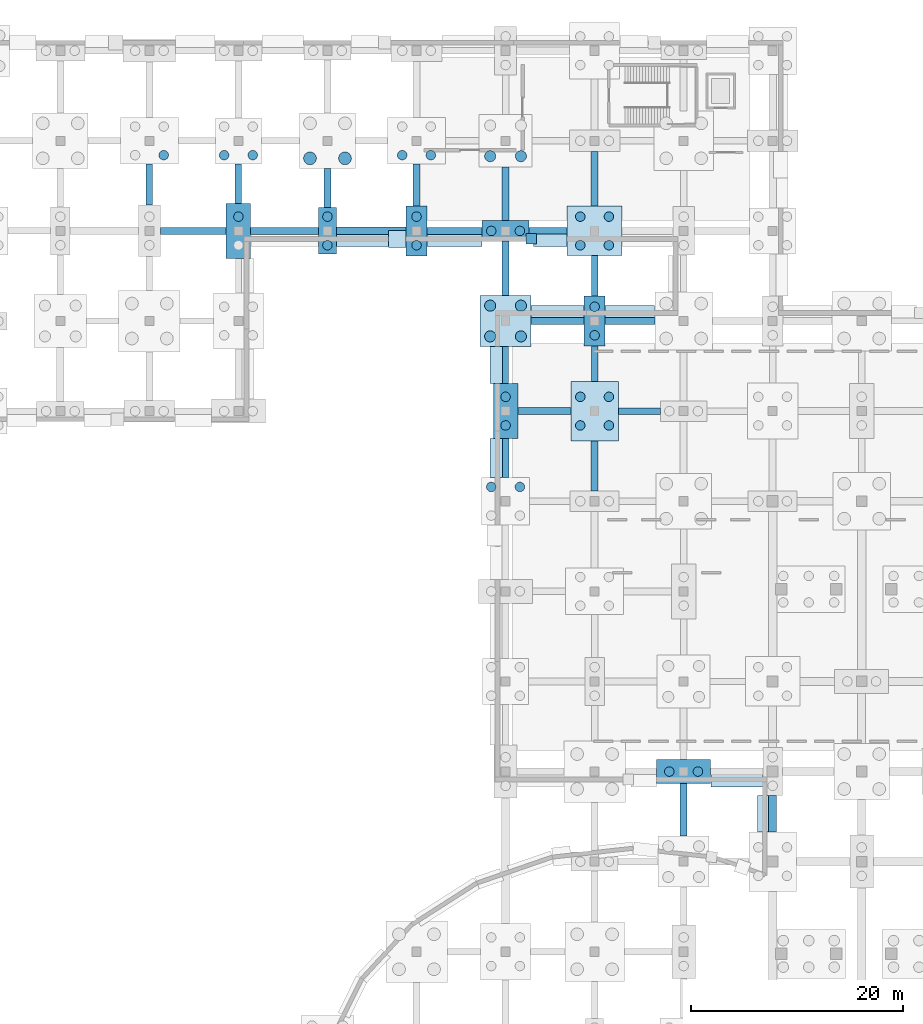
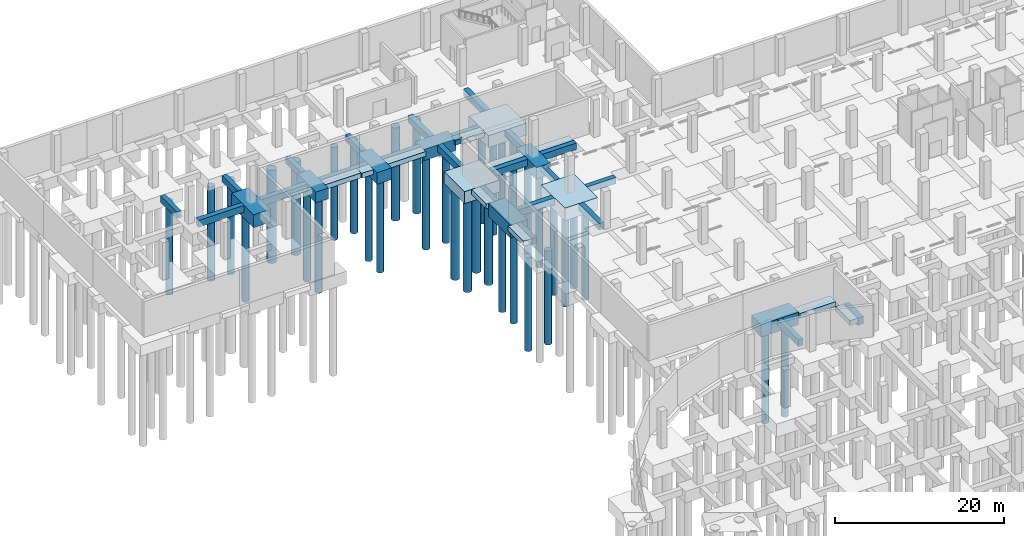
# One storey, part 7 of 34: 44 footings, 36 piles.
"""IFC4 building model written with IfcOpenShell, lengths in metres."""

from ifc_helpers import new_model, si_unit, direction, frame, origin, origin_2d, place, context, subcontext, project, spatial, rectangle, circle, extrude, material, material_profile, profile_set, type_object, element, save


model = new_model("IFC4")

# Units and contexts
model_context = context("Model", 3, precision=1e-05, world=origin(), true_north=direction((0.0, 1.0)))
body_context = subcontext(model_context, "Body", "Model", "MODEL_VIEW")
ifc_project = project(units=[si_unit("LENGTHUNIT", "METRE"), si_unit("AREAUNIT", "SQUARE_METRE"), si_unit("VOLUMEUNIT", "CUBIC_METRE"), si_unit("PLANEANGLEUNIT", "RADIAN"), si_unit("MASSUNIT", "GRAM", prefix="KILO")], contexts=[model_context])

# Site, building, storey
site_placement = place(None, origin())
site = spatial("IfcSite", under=ifc_project, at=site_placement, CompositionType="ELEMENT")
building_placement = place(site_placement, origin())
building = spatial("IfcBuilding", under=site, at=building_placement, Name="Solvento Point Concert Hall", CompositionType="ELEMENT")
storey_placement = place(building_placement, frame((0.0, 0.0, -5.39990234375)))
storey = spatial("IfcBuildingStorey", under=building, at=storey_placement, Name="B01", CompositionType="ELEMENT", Elevation=-5.39990234375)

# Piles
ifc_material_1 = material(Name="Concrete C40/50", Category="concrete")
ifc_material_profile_1 = material_profile(ifc_material_1, circle(Radius=0.52490234375, at=origin_2d()), Name="BP-1050")
ifc_profile_set_1 = profile_set([ifc_material_profile_1], Name="Concrete C40/50")
pile_type_1 = type_object("IfcPileType", Name="BoredPile_1050", PredefinedType="BORED", material=ifc_profile_set_1)
for number, where, z_axis, x_axis, name in (
    (1, (47.75, 109.050048828125, -1.6201171875), (0.0, 0.0, -1.0), (1.0, 0.0, 0.0), "Bored pile BoredPile_1050 #157"),
    (2, (50.64990234375, 109.050048828125, -1.6201171875), (0.0, 0.0, -1.0), (1.0, 0.0, 0.0), "Bored pile BoredPile_1050 #158"),
    (3, (47.75, 111.949951171875, -1.6201171875), (0.0, 0.0, -1.0), (1.0, 0.0, 0.0), "Bored pile BoredPile_1050 #159"),
    (4, (50.64990234375, 111.949951171875, -1.6201171875), (0.0, 0.0, -1.0), (1.0, 0.0, 0.0), "Bored pile BoredPile_1050 #160"),
):
    element("IfcPile", number, at=place(storey_placement, frame(where, z_axis=z_axis, x_axis=x_axis)), inside=storey, type_object=pile_type_1, Name=name, PredefinedType="BORED", context=body_context, shape_type="SweptSolid", body=[
        extrude(circle(Radius=0.52490234375, at=origin_2d()), origin(), (0.0, 0.0, 1.0), 13.47998046875),
    ])
for number, where, z_axis, x_axis, name in (
    (5, (47.75, 126.050048828125, -1.66015625), (0.0, 0.0, -1.0), (1.0, 0.0, 0.0), "Bored pile BoredPile_1050 #163"),
    (6, (50.64990234375, 126.050048828125, -1.66015625), (0.0, 0.0, -1.0), (1.0, 0.0, 0.0), "Bored pile BoredPile_1050 #164"),
):
    element("IfcPile", number, at=place(storey_placement, frame(where, z_axis=z_axis, x_axis=x_axis)), inside=storey, type_object=pile_type_1, Name=name, PredefinedType="BORED", context=body_context, shape_type="SweptSolid", body=[
        extrude(circle(Radius=0.52490234375, at=origin_2d()), origin(), (0.0, 0.0, 1.0), 13.43994140625),
    ])
ifc_material_2 = material(Name="Concrete C40/50", Category="concrete")
ifc_material_profile_2 = material_profile(ifc_material_2, circle(Radius=0.60009765625, at=origin_2d()), Name="BP-1200")
ifc_profile_set_2 = profile_set([ifc_material_profile_2], Name="Concrete C40/50")
pile_type_2 = type_object("IfcPileType", Name="BoredPile_1200", PredefinedType="BORED", material=ifc_profile_set_2)
for number, where, z_axis, x_axis, name in (
    (7, (30.75, 125.85009765625, -1.7001953125), (0.0, 0.0, -1.0), (1.0, 0.0, 0.0), "Bored pile BoredPile_1200 #97"),
    (8, (34.050048828125, 125.85009765625, -1.7001953125), (0.0, 0.0, -1.0), (1.0, 0.0, 0.0), "Bored pile BoredPile_1200 #98"),
):
    element("IfcPile", number, at=place(storey_placement, frame(where, z_axis=z_axis, x_axis=x_axis)), inside=storey, type_object=pile_type_2, Name=name, PredefinedType="BORED", context=body_context, shape_type="SweptSolid", body=[
        extrude(circle(Radius=0.60009765625, at=origin_2d()), origin(), (0.0, 0.0, 1.0), 13.39990234375),
    ])
ifc_material_3 = material(Name="Concrete C40/50", Category="concrete")
ifc_material_profile_3 = material_profile(ifc_material_3, circle(Radius=0.449951171875, at=origin_2d()), Name="BP-900")
ifc_profile_set_3 = profile_set([ifc_material_profile_3], Name="Concrete C40/50")
pile_type_3 = type_object("IfcPileType", Name="BoredPile_900", PredefinedType="BORED", material=ifc_profile_set_3)
pile_1_placement = place(storey_placement, frame((16.949951171875, 126.14990234375, -1.68017578125), z_axis=(0.0, 0.0, -1.0), x_axis=(1.0, 0.0, 0.0)))
element("IfcPile", 9, at=pile_1_placement, inside=storey, type_object=pile_type_3, Name="Bored pile BoredPile_900 #50", PredefinedType="BORED", context=body_context, shape_type="SweptSolid", body=[
    extrude(circle(Radius=0.449951171875, at=origin_2d()), origin(), (0.0, 0.0, 1.0), 13.419921875),
])
pile_2_placement = place(storey_placement, frame((24.0, 120.35009765625, -1.739990234375), z_axis=(0.0, 0.0, -1.0), x_axis=(1.0, 0.0, 0.0)))
element("IfcPile", 10, at=pile_2_placement, inside=storey, type_object=pile_type_3, Name="Bored pile BoredPile_900 #72", PredefinedType="BORED", context=body_context, shape_type="SweptSolid", body=[
    extrude(circle(Radius=0.449951171875, at=origin_2d()), origin(), (0.0, 0.0, 1.0), 13.360107421875),
])
for number, where, z_axis, x_axis, name in (
    (11, (22.64990234375, 126.14990234375, -1.5), (0.0, 0.0, -1.0), (1.0, 0.0, 0.0), "Bored pile BoredPile_900 #73"),
    (12, (25.35009765625, 126.14990234375, -1.5), (0.0, 0.0, -1.0), (1.0, 0.0, 0.0), "Bored pile BoredPile_900 #74"),
):
    element("IfcPile", number, at=place(storey_placement, frame(where, z_axis=z_axis, x_axis=x_axis)), inside=storey, type_object=pile_type_3, Name=name, PredefinedType="BORED", context=body_context, shape_type="SweptSolid", body=[
        extrude(circle(Radius=0.449951171875, at=origin_2d()), origin(), (0.0, 0.0, 1.0), 13.60009765625),
    ])
for number, where, z_axis, x_axis, name in (
    (13, (32.39990234375, 117.64990234375, -1.47998046875), (0.0, 0.0, -1.0), (1.0, 0.0, 0.0), "Bored pile BoredPile_900 #95"),
    (14, (32.39990234375, 120.35009765625, -1.47998046875), (0.0, 0.0, -1.0), (1.0, 0.0, 0.0), "Bored pile BoredPile_900 #96"),
):
    element("IfcPile", number, at=place(storey_placement, frame(where, z_axis=z_axis, x_axis=x_axis)), inside=storey, type_object=pile_type_3, Name=name, PredefinedType="BORED", context=body_context, shape_type="SweptSolid", body=[
        extrude(circle(Radius=0.449951171875, at=origin_2d()), origin(), (0.0, 0.0, 1.0), 13.6201171875),
    ])
for number, where, z_axis, x_axis, name in (
    (15, (40.800048828125, 117.64990234375, -1.580078125), (0.0, 0.0, -1.0), (1.0, 0.0, 0.0), "Bored pile BoredPile_900 #119"),
    (16, (40.800048828125, 120.35009765625, -1.580078125), (0.0, 0.0, -1.0), (1.0, 0.0, 0.0), "Bored pile BoredPile_900 #120"),
):
    element("IfcPile", number, at=place(storey_placement, frame(where, z_axis=z_axis, x_axis=x_axis)), inside=storey, type_object=pile_type_3, Name=name, PredefinedType="BORED", context=body_context, shape_type="SweptSolid", body=[
        extrude(circle(Radius=0.449951171875, at=origin_2d()), origin(), (0.0, 0.0, 1.0), 13.52001953125),
    ])
for number, where, z_axis, x_axis, name in (
    (17, (39.449951171875, 126.14990234375, -1.68017578125), (0.0, 0.0, -1.0), (1.0, 0.0, 0.0), "Bored pile BoredPile_900 #121"),
    (18, (42.14990234375, 126.14990234375, -1.68017578125), (0.0, 0.0, -1.0), (1.0, 0.0, 0.0), "Bored pile BoredPile_900 #122"),
):
    element("IfcPile", number, at=place(storey_placement, frame(where, z_axis=z_axis, x_axis=x_axis)), inside=storey, type_object=pile_type_3, Name=name, PredefinedType="BORED", context=body_context, shape_type="SweptSolid", body=[
        extrude(circle(Radius=0.449951171875, at=origin_2d()), origin(), (0.0, 0.0, 1.0), 13.419921875),
    ])
for number, where, z_axis, x_axis, name in (
    (19, (47.85009765625, 94.85009765625, -1.550048828125), (0.0, 0.0, -1.0), (1.0, 0.0, 0.0), "Bored pile BoredPile_900 #153"),
    (20, (50.550048828125, 94.85009765625, -1.550048828125), (0.0, 0.0, -1.0), (1.0, 0.0, 0.0), "Bored pile BoredPile_900 #154"),
):
    element("IfcPile", number, at=place(storey_placement, frame(where, z_axis=z_axis, x_axis=x_axis)), inside=storey, type_object=pile_type_3, Name=name, PredefinedType="BORED", context=body_context, shape_type="SweptSolid", body=[
        extrude(circle(Radius=0.449951171875, at=origin_2d()), origin(), (0.0, 0.0, 1.0), 13.550048828125),
    ])
for number, where, z_axis, x_axis, name in (
    (21, (49.199951171875, 100.64990234375, -1.739990234375), (0.0, 0.0, -1.0), (1.0, 0.0, 0.0), "Bored pile BoredPile_900 #155"),
    (22, (49.199951171875, 103.35009765625, -1.739990234375), (0.0, 0.0, -1.0), (1.0, 0.0, 0.0), "Bored pile BoredPile_900 #156"),
):
    element("IfcPile", number, at=place(storey_placement, frame(where, z_axis=z_axis, x_axis=x_axis)), inside=storey, type_object=pile_type_3, Name=name, PredefinedType="BORED", context=body_context, shape_type="SweptSolid", body=[
        extrude(circle(Radius=0.449951171875, at=origin_2d()), origin(), (0.0, 0.0, 1.0), 13.360107421875),
    ])
for number, where, z_axis, x_axis, name in (
    (23, (47.85009765625, 119.0, -1.5400390625), (0.0, 0.0, -1.0), (1.0, 0.0, 0.0), "Bored pile BoredPile_900 #161"),
    (24, (50.550048828125, 119.0, -1.5400390625), (0.0, 0.0, -1.0), (1.0, 0.0, 0.0), "Bored pile BoredPile_900 #162"),
):
    element("IfcPile", number, at=place(storey_placement, frame(where, z_axis=z_axis, x_axis=x_axis)), inside=storey, type_object=pile_type_3, Name=name, PredefinedType="BORED", context=body_context, shape_type="SweptSolid", body=[
        extrude(circle(Radius=0.449951171875, at=origin_2d()), origin(), (0.0, 0.0, 1.0), 13.56005859375),
    ])
for number, where, z_axis, x_axis, name in (
    (25, (56.25, 100.64990234375, -1.72021484375), (0.0, 0.0, -1.0), (1.0, 0.0, 0.0), "Bored pile BoredPile_900 #199"),
    (26, (58.949951171875, 100.64990234375, -1.72021484375), (0.0, 0.0, -1.0), (1.0, 0.0, 0.0), "Bored pile BoredPile_900 #200"),
    (27, (56.25, 103.35009765625, -1.72021484375), (0.0, 0.0, -1.0), (1.0, 0.0, 0.0), "Bored pile BoredPile_900 #201"),
    (28, (58.949951171875, 103.35009765625, -1.72021484375), (0.0, 0.0, -1.0), (1.0, 0.0, 0.0), "Bored pile BoredPile_900 #202"),
):
    element("IfcPile", number, at=place(storey_placement, frame(where, z_axis=z_axis, x_axis=x_axis)), inside=storey, type_object=pile_type_3, Name=name, PredefinedType="BORED", context=body_context, shape_type="SweptSolid", body=[
        extrude(circle(Radius=0.449951171875, at=origin_2d()), origin(), (0.0, 0.0, 1.0), 13.3798828125),
    ])
for number, where, z_axis, x_axis, name in (
    (29, (57.60009765625, 109.14990234375, -1.580078125), (0.0, 0.0, -1.0), (1.0, 0.0, 0.0), "Bored pile BoredPile_900 #203"),
    (30, (57.60009765625, 111.85009765625, -1.580078125), (0.0, 0.0, -1.0), (1.0, 0.0, 0.0), "Bored pile BoredPile_900 #204"),
):
    element("IfcPile", number, at=place(storey_placement, frame(where, z_axis=z_axis, x_axis=x_axis)), inside=storey, type_object=pile_type_3, Name=name, PredefinedType="BORED", context=body_context, shape_type="SweptSolid", body=[
        extrude(circle(Radius=0.449951171875, at=origin_2d()), origin(), (0.0, 0.0, 1.0), 13.52001953125),
    ])
for number, where, z_axis, x_axis, name in (
    (31, (56.25, 117.64990234375, -1.64013671875), (0.0, 0.0, -1.0), (1.0, 0.0, 0.0), "Bored pile BoredPile_900 #205"),
    (32, (58.949951171875, 117.64990234375, -1.64013671875), (0.0, 0.0, -1.0), (1.0, 0.0, 0.0), "Bored pile BoredPile_900 #206"),
    (33, (56.25, 120.35009765625, -1.64013671875), (0.0, 0.0, -1.0), (1.0, 0.0, 0.0), "Bored pile BoredPile_900 #207"),
    (34, (58.949951171875, 120.35009765625, -1.64013671875), (0.0, 0.0, -1.0), (1.0, 0.0, 0.0), "Bored pile BoredPile_900 #208"),
):
    element("IfcPile", number, at=place(storey_placement, frame(where, z_axis=z_axis, x_axis=x_axis)), inside=storey, type_object=pile_type_3, Name=name, PredefinedType="BORED", context=body_context, shape_type="SweptSolid", body=[
        extrude(circle(Radius=0.449951171875, at=origin_2d()), origin(), (0.0, 0.0, 1.0), 13.4599609375),
    ])
for number, where, z_axis, x_axis, name in (
    (35, (64.64990234375, 68.0, -1.7001953125), (0.0, 0.0, -1.0), (1.0, 0.0, 0.0), "Bored pile BoredPile_900 #233"),
    (36, (67.35009765625, 68.0, -1.7001953125), (0.0, 0.0, -1.0), (1.0, 0.0, 0.0), "Bored pile BoredPile_900 #234"),
):
    element("IfcPile", number, at=place(storey_placement, frame(where, z_axis=z_axis, x_axis=x_axis)), inside=storey, type_object=pile_type_3, Name=name, PredefinedType="BORED", context=body_context, shape_type="SweptSolid", body=[
        extrude(circle(Radius=0.449951171875, at=origin_2d()), origin(), (0.0, 0.0, 1.0), 13.39990234375),
    ])

# Footings
ifc_material_4 = material(Name="Concrete C40/50", Category="concrete")
footing_type_1 = type_object("IfcFootingType", Name="PileCap_2B", PredefinedType="PILE_CAP", material=ifc_material_4)
footing_1_placement = place(storey_placement, frame((32.39990234375, 119.0, -1.580078125), z_axis=(0.0, 0.0, 1.0), x_axis=(1.0, 0.0, 0.0)))
element("IfcFooting", 37, at=footing_1_placement, inside=storey, type_object=footing_type_1, Name="Pile cap PC-2B at G-05-Q", PredefinedType="PILE_CAP", context=body_context, shape_type="SweptSolid", body=[
    extrude(rectangle(XDim=1.719970703125, YDim=4.3798828125, at=origin_2d()), origin(), (0.0, 0.0, 1.0), 1.580078125),
])
ifc_material_5 = material(Name="Concrete C40/50", Category="concrete")
footing_type_2 = type_object("IfcFootingType", Name="PileCap_2F", PredefinedType="PILE_CAP", material=ifc_material_5)
for number, where, z_axis, x_axis, name in (
    (38, (40.800048828125, 119.0, -1.68017578125), (0.0, 0.0, 1.0), (1.0, 0.0, 0.0), "Pile cap PC-2F at G-06-Q"),
    (39, (57.60009765625, 110.5, -1.68017578125), (0.0, 0.0, 1.0), (1.0, 0.0, 0.0), "Pile cap PC-2F at G-08-P"),
):
    element("IfcFooting", number, at=place(storey_placement, frame(where, z_axis=z_axis, x_axis=x_axis)), inside=storey, type_object=footing_type_2, Name=name, PredefinedType="PILE_CAP", context=body_context, shape_type="SweptSolid", body=[
        extrude(rectangle(XDim=1.9599609375, YDim=4.699951171875, at=origin_2d()), origin(), (0.0, 0.0, 1.0), 1.679931640625),
    ])
ifc_material_6 = material(Name="Concrete C40/50", Category="concrete")
footing_type_3 = type_object("IfcFootingType", Name="PileCap_2L", PredefinedType="PILE_CAP", material=ifc_material_6)
footing_2_placement = place(storey_placement, frame((66.0, 68.0, -1.80029296875), z_axis=(0.0, 0.0, 1.0), x_axis=(1.0, 0.0, 0.0)))
element("IfcFooting", 40, at=footing_2_placement, inside=storey, type_object=footing_type_3, Name="Pile cap PC-2L at G-09-J", PredefinedType="PILE_CAP", context=body_context, shape_type="SweptSolid", body=[
    extrude(rectangle(XDim=5.10009765625, YDim=2.260009765625, at=origin_2d()), origin(), (0.0, 0.0, 1.0), 1.800048828125),
])
ifc_material_7 = material(Name="Concrete C40/50", Category="concrete")
footing_type_4 = type_object("IfcFootingType", Name="PileCap_2M", PredefinedType="PILE_CAP", material=ifc_material_7)
for number, where, z_axis, x_axis, name in (
    (41, (24.0, 119.0, -1.84033203125), (0.0, 0.0, 1.0), (1.0, 0.0, 0.0), "Pile cap PC-2M at G-04-Q"),
    (42, (49.199951171875, 102.0, -1.84033203125), (0.0, 0.0, 1.0), (1.0, 0.0, 0.0), "Pile cap PC-2M at G-07-N"),
):
    element("IfcFooting", number, at=place(storey_placement, frame(where, z_axis=z_axis, x_axis=x_axis)), inside=storey, type_object=footing_type_4, Name=name, PredefinedType="PILE_CAP", context=body_context, shape_type="SweptSolid", body=[
        extrude(rectangle(XDim=2.320068359375, YDim=5.179931640625, at=origin_2d()), origin(), (0.0, 0.0, 1.0), 1.840087890625),
    ])
ifc_material_8 = material(Name="Concrete C40/50", Category="concrete")
footing_type_5 = type_object("IfcFootingType", Name="PileCap_2N", PredefinedType="PILE_CAP", material=ifc_material_8)
footing_3_placement = place(storey_placement, frame((49.199951171875, 119.0, -1.64013671875), z_axis=(0.0, 0.0, 1.0), x_axis=(1.0, 0.0, 0.0)))
element("IfcFooting", 43, at=footing_3_placement, inside=storey, type_object=footing_type_5, Name="Pile cap PC-2N at G-07-Q", PredefinedType="PILE_CAP", context=body_context, shape_type="SweptSolid", body=[
    extrude(rectangle(XDim=4.39990234375, YDim=1.93994140625, at=origin_2d()), origin(), (0.0, 0.0, 1.0), 1.639892578125),
])
ifc_material_9 = material(Name="Concrete C40/50", Category="concrete")
footing_type_6 = type_object("IfcFootingType", Name="PileCap_4C", PredefinedType="PILE_CAP", material=ifc_material_9)
footing_4_placement = place(storey_placement, frame((49.199951171875, 110.5, -1.72021484375), z_axis=(0.0, 0.0, 1.0), x_axis=(1.0, 0.0, 0.0)))
element("IfcFooting", 44, at=footing_4_placement, inside=storey, type_object=footing_type_6, Name="Pile cap PC-4C at G-07-P", PredefinedType="PILE_CAP", context=body_context, shape_type="SweptSolid", body=[
    extrude(rectangle(XDim=4.820068359375, YDim=4.820068359375, at=origin_2d()), origin(), (0.0, 0.0, 1.0), 1.719970703125),
])
ifc_material_10 = material(Name="Concrete C40/50", Category="concrete")
footing_type_7 = type_object("IfcFootingType", Name="PileCap_4K", PredefinedType="PILE_CAP", material=ifc_material_10)
footing_5_placement = place(storey_placement, frame((57.60009765625, 102.0, -1.8203125), z_axis=(0.0, 0.0, 1.0), x_axis=(1.0, 0.0, 0.0)))
element("IfcFooting", 45, at=footing_5_placement, inside=storey, type_object=footing_type_7, Name="Pile cap PC-4K at G-08-N", PredefinedType="PILE_CAP", context=body_context, shape_type="SweptSolid", body=[
    extrude(rectangle(XDim=4.47998046875, YDim=5.60009765625, at=origin_2d()), origin(), (0.0, 0.0, 1.0), 1.820068359375),
])
ifc_material_11 = material(Name="Concrete C40/50", Category="concrete")
footing_type_8 = type_object("IfcFootingType", Name="PileCap_4L", PredefinedType="PILE_CAP", material=ifc_material_11)
footing_6_placement = place(storey_placement, frame((57.60009765625, 119.0, -1.740234375), z_axis=(0.0, 0.0, 1.0), x_axis=(1.0, 0.0, 0.0)))
element("IfcFooting", 46, at=footing_6_placement, inside=storey, type_object=footing_type_8, Name="Pile cap PC-4L at G-08-Q", PredefinedType="PILE_CAP", context=body_context, shape_type="SweptSolid", body=[
    extrude(rectangle(XDim=5.159912109375, YDim=4.659912109375, at=origin_2d()), origin(), (0.0, 0.0, 1.0), 1.739990234375),
])
ifc_material_12 = material(Name="Concrete C40/50", Category="concrete")
footing_type_9 = type_object("IfcFootingType", Name="StripFooting_1400x700", PredefinedType="STRIP_FOOTING", material=ifc_material_12)
footing_7_placement = place(storey_placement, frame((73.64501953125, 64.014892578125, -0.7001953125), z_axis=(0.0, 0.0, 1.0), x_axis=(0.0, 1.0, 0.0)))
element("IfcFooting", 47, at=footing_7_placement, inside=storey, type_object=footing_type_9, Name="Strip footing SF-02", PredefinedType="STRIP_FOOTING", context=body_context, shape_type="SweptSolid", body=[
    extrude(rectangle(XDim=3.409912109375, YDim=1.39990234375, at=origin_2d()), origin(), (0.0, 0.0, 1.0), 0.699951171875),
])
footing_8_placement = place(storey_placement, frame((71.014892578125, 67.2451171875, -0.7001953125), z_axis=(0.0, 0.0, 1.0), x_axis=(-1.0, 0.0, 0.0)))
element("IfcFooting", 48, at=footing_8_placement, inside=storey, type_object=footing_type_9, Name="Strip footing SF-02", PredefinedType="STRIP_FOOTING", context=body_context, shape_type="SweptSolid", body=[
    extrude(rectangle(XDim=4.909912109375, YDim=1.39990234375, at=origin_2d()), origin(), (0.0, 0.0, 1.0), 0.699951171875),
])
footing_9_placement = place(storey_placement, frame((48.445068359375, 97.580078125, -0.7001953125), z_axis=(0.0, 0.0, 1.0), x_axis=(0.0, 1.0, 0.0)))
element("IfcFooting", 49, at=footing_9_placement, inside=storey, type_object=footing_type_9, Name="Strip footing SF-02", PredefinedType="STRIP_FOOTING", context=body_context, shape_type="SweptSolid", body=[
    extrude(rectangle(XDim=3.639892578125, YDim=1.39990234375, at=origin_2d()), origin(), (0.0, 0.0, 1.0), 0.699951171875),
])
footing_10_placement = place(storey_placement, frame((48.445068359375, 106.340087890625, -0.7001953125), z_axis=(0.0, 0.0, 1.0), x_axis=(0.0, 1.0, 0.0)))
element("IfcFooting", 50, at=footing_10_placement, inside=storey, type_object=footing_type_9, Name="Strip footing SF-02", PredefinedType="STRIP_FOOTING", context=body_context, shape_type="SweptSolid", body=[
    extrude(rectangle(XDim=3.47998046875, YDim=1.39990234375, at=origin_2d()), origin(), (0.0, 0.0, 1.0), 0.699951171875),
])
footing_11_placement = place(storey_placement, frame((54.114990234375, 111.2548828125, -0.7001953125), z_axis=(0.0, 0.0, 1.0), x_axis=(1.0, 0.0, 0.0)))
element("IfcFooting", 51, at=footing_11_placement, inside=storey, type_object=footing_type_9, Name="Strip footing SF-02", PredefinedType="STRIP_FOOTING", context=body_context, shape_type="SweptSolid", body=[
    extrude(rectangle(XDim=4.989990234375, YDim=1.39990234375, at=origin_2d()), origin(), (0.0, 0.0, 1.0), 0.699951171875),
])
footing_12_placement = place(storey_placement, frame((60.929931640625, 111.2548828125, -0.7001953125), z_axis=(0.0, 0.0, 1.0), x_axis=(1.0, 0.0, 0.0)))
element("IfcFooting", 52, at=footing_12_placement, inside=storey, type_object=footing_type_9, Name="Strip footing SF-02", PredefinedType="STRIP_FOOTING", context=body_context, shape_type="SweptSolid", body=[
    extrude(rectangle(XDim=4.679931640625, YDim=1.39990234375, at=origin_2d()), origin(), (0.0, 0.0, 1.0), 0.699951171875),
])
footing_13_placement = place(storey_placement, frame((53.416748046875, 118.2451171875, -0.7001953125), z_axis=(0.0, 0.0, 1.0), x_axis=(-1.0, 0.0, 0.0)))
element("IfcFooting", 53, at=footing_13_placement, inside=storey, type_object=footing_type_9, Name="Strip footing SF-02", PredefinedType="STRIP_FOOTING", context=body_context, shape_type="SweptSolid", body=[
    extrude(rectangle(XDim=3.186767578125, YDim=1.39990234375, at=origin_2d()), origin(), (0.0, 0.0, 1.0), 0.699951171875),
])
footing_14_placement = place(storey_placement, frame((51.61181640625, 118.2451171875, -0.7001953125), z_axis=(0.0, 0.0, 1.0), x_axis=(-1.0, 0.0, 0.0)))
element("IfcFooting", 54, at=footing_14_placement, inside=storey, type_object=footing_type_9, Name="Strip footing SF-02", PredefinedType="STRIP_FOOTING", context=body_context, shape_type="SweptSolid", body=[
    extrude(rectangle(XDim=1.0, YDim=1.0, at=origin_2d()), origin(), (0.0, 0.0, 1.0), 0.699951171875),
])
footing_15_placement = place(storey_placement, frame((44.389892578125, 118.2451171875, -0.7001953125), z_axis=(0.0, 0.0, 1.0), x_axis=(-1.0, 0.0, 0.0)))
element("IfcFooting", 55, at=footing_15_placement, inside=storey, type_object=footing_type_9, Name="Strip footing SF-02", PredefinedType="STRIP_FOOTING", context=body_context, shape_type="SweptSolid", body=[
    extrude(rectangle(XDim=5.199951171875, YDim=1.39990234375, at=origin_2d()), origin(), (0.0, 0.0, 1.0), 0.699951171875),
])
footing_16_placement = place(storey_placement, frame((38.993408203125, 118.2451171875, -0.7001953125), z_axis=(0.0, 0.0, 1.0), x_axis=(-1.0, 0.0, 0.0)))
element("IfcFooting", 56, at=footing_16_placement, inside=storey, type_object=footing_type_9, Name="Strip footing SF-02", PredefinedType="STRIP_FOOTING", context=body_context, shape_type="SweptSolid", body=[
    extrude(rectangle(XDim=1.63330078125, YDim=1.63330078125, at=origin_2d()), origin(), (0.0, 0.0, 1.0), 0.699951171875),
])
footing_17_placement = place(storey_placement, frame((35.718505859375, 118.2451171875, -0.7001953125), z_axis=(0.0, 0.0, 1.0), x_axis=(-1.0, 0.0, 0.0)))
element("IfcFooting", 57, at=footing_17_placement, inside=storey, type_object=footing_type_9, Name="Strip footing SF-02", PredefinedType="STRIP_FOOTING", context=body_context, shape_type="SweptSolid", body=[
    extrude(rectangle(XDim=4.896728515625, YDim=1.39990234375, at=origin_2d()), origin(), (0.0, 0.0, 1.0), 0.699951171875),
])
ifc_material_13 = material(Name="Concrete C40/50", Category="concrete")
footing_type_10 = type_object("IfcFootingType", Name="TieBeam_600x900", PredefinedType="FOOTING_BEAM", material=ifc_material_13)
footing_18_placement = place(storey_placement, frame((49.199951171875, 106.340087890625, -0.900146484375), z_axis=(0.0, 0.0, 1.0), x_axis=(0.0, 1.0, 0.0)))
element("IfcFooting", 58, at=footing_18_placement, inside=storey, type_object=footing_type_10, Name="Seismic tie beam GB-01", PredefinedType="FOOTING_BEAM", context=body_context, shape_type="SweptSolid", body=[
    extrude(rectangle(XDim=3.5, YDim=0.60009765625, at=origin_2d()), origin(), (0.0, 0.0, 1.0), 0.89990234375),
])
footing_19_placement = place(storey_placement, frame((57.60009765625, 106.47509765625, -0.900146484375), z_axis=(0.0, 0.0, 1.0), x_axis=(0.0, 1.0, 0.0)))
element("IfcFooting", 59, at=footing_19_placement, inside=storey, type_object=footing_type_10, Name="Seismic tie beam GB-01", PredefinedType="FOOTING_BEAM", context=body_context, shape_type="SweptSolid", body=[
    extrude(rectangle(XDim=3.35009765625, YDim=0.60009765625, at=origin_2d()), origin(), (0.0, 0.0, 1.0), 0.89990234375),
])
ifc_material_14 = material(Name="Concrete C40/50", Category="concrete")
footing_type_11 = type_object("IfcFootingType", Name="TieBeam_620x920", PredefinedType="FOOTING_BEAM", material=ifc_material_14)
footing_20_placement = place(storey_placement, frame((61.820068359375, 102.0, -0.920166015625), z_axis=(0.0, 0.0, 1.0), x_axis=(1.0, 0.0, 0.0)))
element("IfcFooting", 60, at=footing_20_placement, inside=storey, type_object=footing_type_11, Name="Seismic tie beam GB-02", PredefinedType="FOOTING_BEAM", context=body_context, shape_type="SweptSolid", body=[
    extrude(rectangle(XDim=3.9599609375, YDim=0.6201171875, at=origin_2d()), origin(), (0.0, 0.0, 1.0), 0.919921875),
])
footing_21_placement = place(storey_placement, frame((53.2099609375, 119.0, -0.920166015625), z_axis=(0.0, 0.0, 1.0), x_axis=(1.0, 0.0, 0.0)))
element("IfcFooting", 61, at=footing_21_placement, inside=storey, type_object=footing_type_11, Name="Seismic tie beam GB-02", PredefinedType="FOOTING_BEAM", context=body_context, shape_type="SweptSolid", body=[
    extrude(rectangle(XDim=3.6201171875, YDim=0.6201171875, at=origin_2d()), origin(), (0.0, 0.0, 1.0), 0.919921875),
])
footing_22_placement = place(storey_placement, frame((15.60009765625, 123.375, -0.920166015625), z_axis=(0.0, 0.0, 1.0), x_axis=(0.0, 1.0, 0.0)))
element("IfcFooting", 62, at=footing_22_placement, inside=storey, type_object=footing_type_11, Name="Seismic tie beam GB-02", PredefinedType="FOOTING_BEAM", context=body_context, shape_type="SweptSolid", body=[
    extrude(rectangle(XDim=3.889892578125, YDim=0.6201171875, at=origin_2d()), origin(), (0.0, 0.0, 1.0), 0.919921875),
])
footing_23_placement = place(storey_placement, frame((24.0, 123.45751953125, -0.920166015625), z_axis=(0.0, 0.0, 1.0), x_axis=(0.0, 1.0, 0.0)))
element("IfcFooting", 63, at=footing_23_placement, inside=storey, type_object=footing_type_11, Name="Seismic tie beam GB-02", PredefinedType="FOOTING_BEAM", context=body_context, shape_type="SweptSolid", body=[
    extrude(rectangle(XDim=3.735107421875, YDim=0.6201171875, at=origin_2d()), origin(), (0.0, 0.0, 1.0), 0.919921875),
])
footing_24_placement = place(storey_placement, frame((32.39990234375, 123.032470703125, -0.920166015625), z_axis=(0.0, 0.0, 1.0), x_axis=(0.0, 1.0, 0.0)))
element("IfcFooting", 64, at=footing_24_placement, inside=storey, type_object=footing_type_11, Name="Seismic tie beam GB-02", PredefinedType="FOOTING_BEAM", context=body_context, shape_type="SweptSolid", body=[
    extrude(rectangle(XDim=3.68505859375, YDim=0.6201171875, at=origin_2d()), origin(), (0.0, 0.0, 1.0), 0.919921875),
])
footing_25_placement = place(storey_placement, frame((40.800048828125, 123.3349609375, -0.920166015625), z_axis=(0.0, 0.0, 1.0), x_axis=(0.0, 1.0, 0.0)))
element("IfcFooting", 65, at=footing_25_placement, inside=storey, type_object=footing_type_11, Name="Seismic tie beam GB-02", PredefinedType="FOOTING_BEAM", context=body_context, shape_type="SweptSolid", body=[
    extrude(rectangle(XDim=3.969970703125, YDim=0.6201171875, at=origin_2d()), origin(), (0.0, 0.0, 1.0), 0.919921875),
])
footing_26_placement = place(storey_placement, frame((49.199951171875, 97.580078125, -0.920166015625), z_axis=(0.0, 0.0, 1.0), x_axis=(0.0, 1.0, 0.0)))
element("IfcFooting", 66, at=footing_26_placement, inside=storey, type_object=footing_type_11, Name="Seismic tie beam GB-02", PredefinedType="FOOTING_BEAM", context=body_context, shape_type="SweptSolid", body=[
    extrude(rectangle(XDim=3.659912109375, YDim=0.6201171875, at=origin_2d()), origin(), (0.0, 0.0, 1.0), 0.919921875),
])
footing_27_placement = place(storey_placement, frame((57.60009765625, 114.760009765625, -0.920166015625), z_axis=(0.0, 0.0, 1.0), x_axis=(0.0, 1.0, 0.0)))
element("IfcFooting", 67, at=footing_27_placement, inside=storey, type_object=footing_type_11, Name="Seismic tie beam GB-02", PredefinedType="FOOTING_BEAM", context=body_context, shape_type="SweptSolid", body=[
    extrude(rectangle(XDim=3.820068359375, YDim=0.6201171875, at=origin_2d()), origin(), (0.0, 0.0, 1.0), 0.919921875),
])
ifc_material_15 = material(Name="Concrete C40/50", Category="concrete")
footing_type_12 = type_object("IfcFootingType", Name="TieBeam_650x950", PredefinedType="FOOTING_BEAM", material=ifc_material_15)
footing_28_placement = place(storey_placement, frame((60.929931640625, 110.5, -0.9501953125), z_axis=(0.0, 0.0, 1.0), x_axis=(1.0, 0.0, 0.0)))
element("IfcFooting", 68, at=footing_28_placement, inside=storey, type_object=footing_type_12, Name="Seismic tie beam GB-03", PredefinedType="FOOTING_BEAM", context=body_context, shape_type="SweptSolid", body=[
    extrude(rectangle(XDim=4.699951171875, YDim=0.64990234375, at=origin_2d()), origin(), (0.0, 0.0, 1.0), 0.949951171875),
])
footing_29_placement = place(storey_placement, frame((57.60009765625, 96.824951171875, -0.9501953125), z_axis=(0.0, 0.0, 1.0), x_axis=(0.0, 1.0, 0.0)))
element("IfcFooting", 69, at=footing_29_placement, inside=storey, type_object=footing_type_12, Name="Seismic tie beam GB-03", PredefinedType="FOOTING_BEAM", context=body_context, shape_type="SweptSolid", body=[
    extrude(rectangle(XDim=4.75, YDim=0.64990234375, at=origin_2d()), origin(), (0.0, 0.0, 1.0), 0.949951171875),
])
footing_30_placement = place(storey_placement, frame((66.0, 64.389892578125, -0.9501953125), z_axis=(0.0, 0.0, 1.0), x_axis=(0.0, 1.0, 0.0)))
element("IfcFooting", 70, at=footing_30_placement, inside=storey, type_object=footing_type_12, Name="Seismic tie beam GB-03", PredefinedType="FOOTING_BEAM", context=body_context, shape_type="SweptSolid", body=[
    extrude(rectangle(XDim=4.9599609375, YDim=0.64990234375, at=origin_2d()), origin(), (0.0, 0.0, 1.0), 0.949951171875),
])
ifc_material_16 = material(Name="Concrete C40/50", Category="concrete")
footing_type_13 = type_object("IfcFootingType", Name="TieBeam_680x980", PredefinedType="FOOTING_BEAM", material=ifc_material_16)
footing_31_placement = place(storey_placement, frame((52.860107421875, 102.0, -0.97998046875), z_axis=(0.0, 0.0, 1.0), x_axis=(1.0, 0.0, 0.0)))
element("IfcFooting", 71, at=footing_31_placement, inside=storey, type_object=footing_type_13, Name="Seismic tie beam GB-04", PredefinedType="FOOTING_BEAM", context=body_context, shape_type="SweptSolid", body=[
    extrude(rectangle(XDim=5.0, YDim=0.679931640625, at=origin_2d()), origin(), (0.0, 0.0, 1.0), 0.97998046875),
])
footing_32_placement = place(storey_placement, frame((54.114990234375, 110.5, -0.97998046875), z_axis=(0.0, 0.0, 1.0), x_axis=(1.0, 0.0, 0.0)))
element("IfcFooting", 72, at=footing_32_placement, inside=storey, type_object=footing_type_13, Name="Seismic tie beam GB-04", PredefinedType="FOOTING_BEAM", context=body_context, shape_type="SweptSolid", body=[
    extrude(rectangle(XDim=5.010009765625, YDim=0.679931640625, at=origin_2d()), origin(), (0.0, 0.0, 1.0), 0.97998046875),
])
footing_33_placement = place(storey_placement, frame((19.739990234375, 119.0, -0.97998046875), z_axis=(0.0, 0.0, 1.0), x_axis=(1.0, 0.0, 0.0)))
element("IfcFooting", 73, at=footing_33_placement, inside=storey, type_object=footing_type_13, Name="Seismic tie beam GB-04", PredefinedType="FOOTING_BEAM", context=body_context, shape_type="SweptSolid", body=[
    extrude(rectangle(XDim=6.199951171875, YDim=0.679931640625, at=origin_2d()), origin(), (0.0, 0.0, 1.0), 0.97998046875),
])
footing_34_placement = place(storey_placement, frame((28.35009765625, 119.0, -0.97998046875), z_axis=(0.0, 0.0, 1.0), x_axis=(1.0, 0.0, 0.0)))
element("IfcFooting", 74, at=footing_34_placement, inside=storey, type_object=footing_type_13, Name="Seismic tie beam GB-04", PredefinedType="FOOTING_BEAM", context=body_context, shape_type="SweptSolid", body=[
    extrude(rectangle(XDim=6.3798828125, YDim=0.679931640625, at=origin_2d()), origin(), (0.0, 0.0, 1.0), 0.97998046875),
])
footing_35_placement = place(storey_placement, frame((44.389892578125, 119.0, -0.97998046875), z_axis=(0.0, 0.0, 1.0), x_axis=(1.0, 0.0, 0.0)))
element("IfcFooting", 75, at=footing_35_placement, inside=storey, type_object=footing_type_13, Name="Seismic tie beam GB-04", PredefinedType="FOOTING_BEAM", context=body_context, shape_type="SweptSolid", body=[
    extrude(rectangle(XDim=5.219970703125, YDim=0.679931640625, at=origin_2d()), origin(), (0.0, 0.0, 1.0), 0.97998046875),
])
footing_36_placement = place(storey_placement, frame((49.199951171875, 115.469970703125, -0.97998046875), z_axis=(0.0, 0.0, 1.0), x_axis=(0.0, 1.0, 0.0)))
element("IfcFooting", 76, at=footing_36_placement, inside=storey, type_object=footing_type_13, Name="Seismic tie beam GB-04", PredefinedType="FOOTING_BEAM", context=body_context, shape_type="SweptSolid", body=[
    extrude(rectangle(XDim=5.1201171875, YDim=0.679931640625, at=origin_2d()), origin(), (0.0, 0.0, 1.0), 0.97998046875),
])
footing_37_placement = place(storey_placement, frame((49.199951171875, 122.489990234375, -0.97998046875), z_axis=(0.0, 0.0, 1.0), x_axis=(0.0, 1.0, 0.0)))
element("IfcFooting", 77, at=footing_37_placement, inside=storey, type_object=footing_type_13, Name="Seismic tie beam GB-04", PredefinedType="FOOTING_BEAM", context=body_context, shape_type="SweptSolid", body=[
    extrude(rectangle(XDim=5.0400390625, YDim=0.679931640625, at=origin_2d()), origin(), (0.0, 0.0, 1.0), 0.97998046875),
])
footing_38_placement = place(storey_placement, frame((57.60009765625, 123.909912109375, -0.97998046875), z_axis=(0.0, 0.0, 1.0), x_axis=(0.0, 1.0, 0.0)))
element("IfcFooting", 78, at=footing_38_placement, inside=storey, type_object=footing_type_13, Name="Seismic tie beam GB-04", PredefinedType="FOOTING_BEAM", context=body_context, shape_type="SweptSolid", body=[
    extrude(rectangle(XDim=5.159912109375, YDim=0.679931640625, at=origin_2d()), origin(), (0.0, 0.0, 1.0), 0.97998046875),
])
ifc_material_17 = material(Name="Concrete C40/50", Category="concrete")
footing_type_14 = type_object("IfcFootingType", Name="TieBeam_700x1000", PredefinedType="FOOTING_BEAM", material=ifc_material_17)
footing_39_placement = place(storey_placement, frame((36.5400390625, 119.0, -1.0), z_axis=(0.0, 0.0, 1.0), x_axis=(1.0, 0.0, 0.0)))
element("IfcFooting", 79, at=footing_39_placement, inside=storey, type_object=footing_type_14, Name="Seismic tie beam GB-05", PredefinedType="FOOTING_BEAM", context=body_context, shape_type="SweptSolid", body=[
    extrude(rectangle(XDim=6.56005859375, YDim=0.699951171875, at=origin_2d()), origin(), (0.0, 0.0, 1.0), 1.0),
])
ifc_material_18 = material(Name="Concrete C40/50", Category="concrete")
footing_type_15 = type_object("IfcFootingType", Name="TieBeam_750x1050", PredefinedType="FOOTING_BEAM", material=ifc_material_18)
footing_40_placement = place(storey_placement, frame((74.39990234375, 64.014892578125, -1.05029296875), z_axis=(0.0, 0.0, 1.0), x_axis=(0.0, 1.0, 0.0)))
element("IfcFooting", 80, at=footing_40_placement, inside=storey, type_object=footing_type_15, Name="Seismic tie beam GB-07", PredefinedType="FOOTING_BEAM", context=body_context, shape_type="SweptSolid", body=[
    extrude(rectangle(XDim=3.429931640625, YDim=0.75, at=origin_2d()), origin(), (0.0, 0.0, 1.0), 1.050048828125),
])

save(model, "model.ifc")
